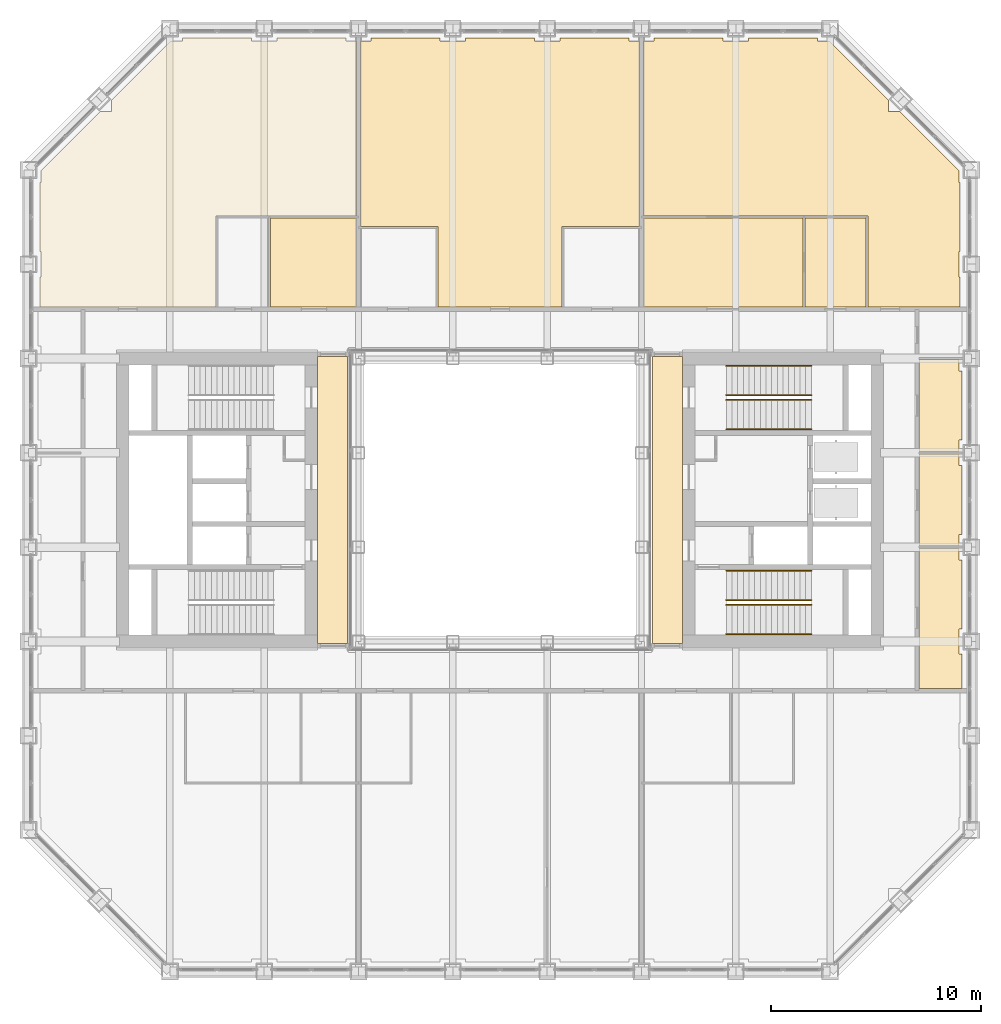
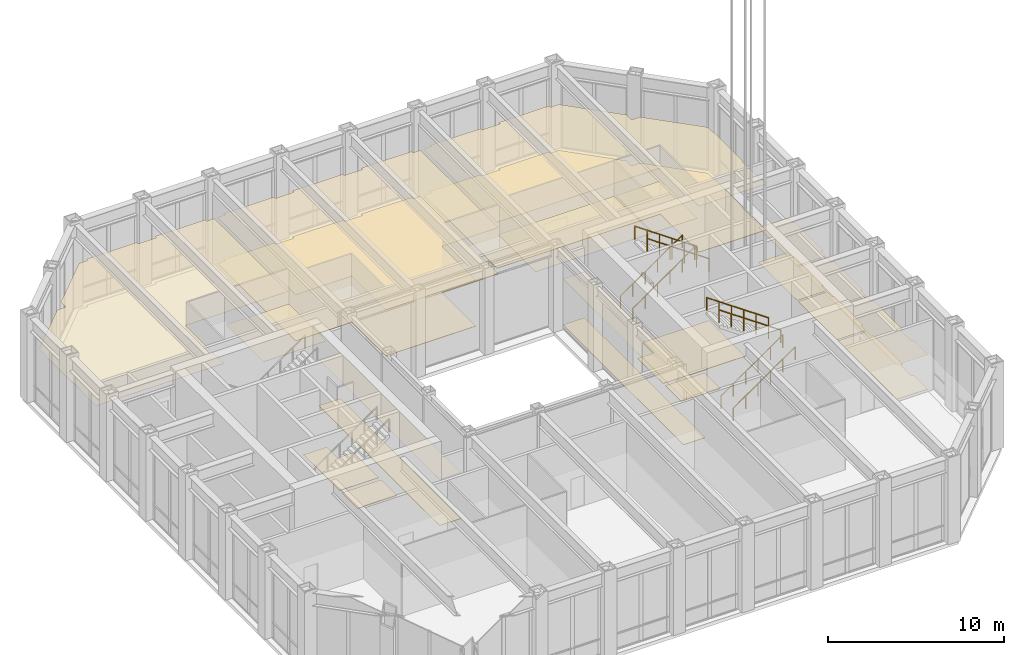
# One storey, part 21 of 22: 8 railings, 5 coverings.
"""IFC4 building model written with IfcOpenShell, lengths in metres."""

from ifc_helpers import new_model, si_unit, direction, frame, origin, origin_2d, place, context, subcontext, project, spatial, line, indexed_curve, circle, outline, extrude, material, layer, layer_set, type_object, element, save


model = new_model("IFC4")

# Units and contexts
model_context = context("Model", 3, precision=1e-05, world=origin(), true_north=direction((0.0, 1.0)))
body_context = subcontext(model_context, "Body", "Model", "MODEL_VIEW")
ifc_project = project(units=[si_unit("LENGTHUNIT", "METRE"), si_unit("AREAUNIT", "SQUARE_METRE"), si_unit("VOLUMEUNIT", "CUBIC_METRE"), si_unit("PLANEANGLEUNIT", "RADIAN"), si_unit("MASSUNIT", "GRAM", prefix="KILO")], contexts=[model_context])

# Site, building, storey
site_placement = place(None, origin())
site = spatial("IfcSite", under=ifc_project, at=site_placement, CompositionType="ELEMENT")
building_placement = place(site_placement, origin())
building = spatial("IfcBuilding", under=site, at=building_placement, Name="Msasa Ring Tower", CompositionType="ELEMENT")
storey_placement = place(building_placement, frame((0.0, 0.0, 112.39990234375)))
storey = spatial("IfcBuildingStorey", under=building, at=storey_placement, Name="L29", CompositionType="ELEMENT", Elevation=112.39990234375)

# Coverings
ifc_material_1 = material(Name="Gypsum plasterboard on a steel suspension grid", Category="steel")
ifc_layer_1 = layer(ifc_material_1, 0.014892578125)
ifc_layer_set_1 = layer_set([ifc_layer_1], Name="C1 SUSPENDED PLASTERBOARD CEILING 15")
covering_type_1 = type_object("IfcCoveringType", Name="C1 SUSPENDED PLASTERBOARD CEILING 15", PredefinedType="CEILING", material=ifc_layer_set_1)
covering_1_placement = place(storey_placement, frame((0.0, 0.0, 3.2001953125)))
element("IfcCovering", 1, at=covering_1_placement, inside=storey, type_object=covering_type_1, Name="Suspended Plasterboard Ceiling 15 public rooms L29", PredefinedType="CEILING", context=body_context, shape_type="SweptSolid", body=[
    extrude(outline(indexed_curve([(-13.550537109375, 13.550537109375), (-13.550537109375, 9.200439453125), (-21.949462890625, 9.200439453125), (-21.949462890625, 10.6494140625), (-21.8994140625, 10.6494140625), (-21.8994140625, 11.8505859375), (-21.949462890625, 11.8505859375), (-21.949462890625, 15.1494140625), (-21.8994140625, 15.1494140625), (-21.8994140625, 15.71337890625), (-19.08837890625, 18.5244140625), (-18.5244140625, 18.5244140625), (-18.5244140625, 19.08837890625), (-15.71337890625, 21.8994140625), (-15.1494140625, 21.8994140625), (-15.1494140625, 22.049560546875), (-11.8505859375, 22.049560546875), (-11.8505859375, 21.8994140625), (-10.6494140625, 21.8994140625), (-10.6494140625, 22.049560546875), (-7.3505859375, 22.049560546875), (-7.3505859375, 21.8994140625), (-6.8505859375, 21.8994140625), (-6.8505859375, 13.550537109375)], segments=[line(1, 2, 3, 4, 5, 6, 7, 8, 9, 10, 11, 12, 13, 14, 15, 16, 17, 18, 19, 20, 21, 22, 23, 24, 1)], self_intersect=False)), origin(), (0.0, 0.0, 1.0), 0.014892578125),
    extrude(outline(indexed_curve([(-8.699462890625, -6.849609375), (-8.699462890625, 6.849609375), (-7.280029296875, 6.849609375), (-7.280029296875, -6.849609375)], segments=[line(1, 2, 3, 4, 1)], self_intersect=False)), origin(), (0.0, 0.0, 1.0), 0.014892578125),
    extrude(outline(indexed_curve([(-2.949462890625, 9.200439453125), (-2.949462890625, 13.050537109375), (-6.6494140625, 13.050537109375), (-6.6494140625, 21.8994140625), (-6.1494140625, 21.8994140625), (-6.1494140625, 22.049560546875), (-2.8505859375, 22.049560546875), (-2.8505859375, 21.8994140625), (-1.6494140625, 21.8994140625), (-1.6494140625, 22.049560546875), (1.6494140625, 22.049560546875), (1.6494140625, 21.8994140625), (2.8505859375, 21.8994140625), (2.8505859375, 22.049560546875), (6.1494140625, 22.049560546875), (6.1494140625, 21.8994140625), (6.6494140625, 21.8994140625), (6.6494140625, 13.050537109375), (2.949462890625, 13.050537109375), (2.949462890625, 9.200439453125)], segments=[line(1, 2, 3, 4, 5, 6, 7, 8, 9, 10, 11, 12, 13, 14, 15, 16, 17, 18, 19, 20, 1)], self_intersect=False)), origin(), (0.0, 0.0, 1.0), 0.014892578125),
    extrude(outline(indexed_curve([(10.6494140625, 22.049560546875), (10.6494140625, 21.8994140625), (11.8505859375, 21.8994140625), (11.8505859375, 22.049560546875), (15.1494140625, 22.049560546875), (15.1494140625, 21.8994140625), (15.71337890625, 21.8994140625), (18.5244140625, 19.08837890625), (18.5244140625, 18.5244140625), (19.08837890625, 18.5244140625), (21.8994140625, 15.71337890625), (21.8994140625, 15.1494140625), (21.949462890625, 15.1494140625), (21.949462890625, 11.8505859375), (21.8994140625, 11.8505859375), (21.8994140625, 10.6494140625), (21.949462890625, 10.6494140625), (21.949462890625, 9.200439453125), (17.550537109375, 9.200439453125), (17.550537109375, 13.550537109375), (6.8505859375, 13.550537109375), (6.8505859375, 21.8994140625), (7.3505859375, 21.8994140625), (7.3505859375, 22.049560546875)], segments=[line(1, 2, 3, 4, 5, 6, 7, 8, 9, 10, 11, 12, 13, 14, 15, 16, 17, 18, 19, 20, 21, 22, 23, 24, 1)], self_intersect=False)), origin(), (0.0, 0.0, 1.0), 0.014892578125),
    extrude(outline(indexed_curve([(8.699462890625, -6.849609375), (7.280029296875, -6.849609375), (7.280029296875, 6.849609375), (8.699462890625, 6.849609375)], segments=[line(1, 2, 3, 4, 1)], self_intersect=False)), origin(), (0.0, 0.0, 1.0), 0.014892578125),
])
ifc_material_2 = material(Name="Moisture-resistant gypsum plasterboard on a steel suspension grid", Category="steel")
ifc_layer_2 = layer(ifc_material_2, 0.014892578125)
ifc_layer_set_2 = layer_set([ifc_layer_2], Name="C2 MOISTURE-RESISTANT PLASTERBOARD CEILING 15")
covering_type_2 = type_object("IfcCoveringType", Name="C2 MOISTURE-RESISTANT PLASTERBOARD CEILING 15", PredefinedType="CEILING", material=ifc_layer_set_2)
covering_2_placement = place(storey_placement, frame((0.0, 0.0, 2.400146484375)))
element("IfcCovering", 2, at=covering_2_placement, inside=storey, type_object=covering_type_2, Name="Moisture-Resistant Plasterboard Ceiling 15 L29", PredefinedType="CEILING", context=body_context, shape_type="SweptSolid", body=[
    extrude(outline(indexed_curve([(20.00048828125, -2.305419921875), (21.8994140625, -2.305419921875), (21.8994140625, -2.8505859375), (22.049560546875, -2.8505859375), (22.049560546875, -6.1494140625), (21.8994140625, -6.1494140625), (21.8994140625, -7.3505859375), (22.049560546875, -7.3505859375), (22.049560546875, -8.99951171875), (20.00048828125, -8.99951171875)], segments=[line(1, 2, 3, 4, 5, 6, 7, 8, 9, 10, 1)], self_intersect=False)), origin(), (0.0, 0.0, 1.0), 0.014892578125),
    extrude(outline(indexed_curve([(21.8994140625, 2.194580078125), (21.8994140625, 1.6494140625), (22.049560546875, 1.6494140625), (22.049560546875, -1.6494140625), (21.8994140625, -1.6494140625), (21.8994140625, -2.194580078125), (20.00048828125, -2.194580078125), (20.00048828125, 2.194580078125)], segments=[line(1, 2, 3, 4, 5, 6, 7, 8, 1)], self_intersect=False)), origin(), (0.0, 0.0, 1.0), 0.014892578125),
    extrude(outline(indexed_curve([(21.8994140625, 6.694580078125), (21.8994140625, 6.1494140625), (22.049560546875, 6.1494140625), (22.049560546875, 2.8505859375), (21.8994140625, 2.8505859375), (21.8994140625, 2.305419921875), (20.00048828125, 2.305419921875), (20.00048828125, 6.694580078125)], segments=[line(1, 2, 3, 4, 5, 6, 7, 8, 1)], self_intersect=False)), origin(), (0.0, 0.0, 1.0), 0.014892578125),
])
ifc_material_3 = material(Name="Perforated aluminium ceiling pans on a steel grid", Category="steel")
ifc_layer_3 = layer(ifc_material_3, 0.02490234375)
ifc_layer_set_3 = layer_set([ifc_layer_3], Name="C4 PERFORATED METAL PAN CEILING 25")
covering_type_3 = type_object("IfcCoveringType", Name="C4 PERFORATED METAL PAN CEILING 25", PredefinedType="CEILING", material=ifc_layer_set_3)
covering_3_placement = place(storey_placement, frame((0.0, 0.0, 2.400146484375)))
element("IfcCovering", 3, at=covering_3_placement, inside=storey, type_object=covering_type_3, Name="Perforated Metal Pan Ceiling 25 L29", PredefinedType="CEILING", context=body_context, shape_type="SweptSolid", body=[
    extrude(outline(indexed_curve([(-6.8505859375, 13.449462890625), (-6.8505859375, 9.200439453125), (-10.949462890625, 9.200439453125), (-10.949462890625, 13.449462890625)], segments=[line(1, 2, 3, 4, 1)], self_intersect=False)), origin(), (0.0, 0.0, 1.0), 0.02490234375),
    extrude(outline(indexed_curve([(14.449462890625, 9.200439453125), (6.8505859375, 9.200439453125), (6.8505859375, 13.449462890625), (14.449462890625, 13.449462890625)], segments=[line(1, 2, 3, 4, 1)], self_intersect=False)), origin(), (0.0, 0.0, 1.0), 0.02490234375),
    extrude(outline(indexed_curve([(17.449462890625, 9.200439453125), (14.550537109375, 9.200439453125), (14.550537109375, 13.449462890625), (17.449462890625, 13.449462890625)], segments=[line(1, 2, 3, 4, 1)], self_intersect=False)), origin(), (0.0, 0.0, 1.0), 0.02490234375),
])
ifc_material_4 = material(Name="Honed granite tiles on a mortar bed", Category="masonry")
ifc_layer_4 = layer(ifc_material_4, 0.030029296875)
ifc_layer_set_4 = layer_set([ifc_layer_4], Name="F1 HONED GRANITE ON BEDDING 30")
covering_type_4 = type_object("IfcCoveringType", Name="F1 HONED GRANITE ON BEDDING 30", PredefinedType="FLOORING", material=ifc_layer_set_4)
covering_4_placement = place(storey_placement, origin())
element("IfcCovering", 4, at=covering_4_placement, inside=storey, type_object=covering_type_4, Name="Honed Granite On Bedding 30 L29", PredefinedType="FLOORING", context=body_context, shape_type="SweptSolid", body=[
    extrude(outline(indexed_curve([(-11.87451171875, -1.275390625), (-9.300537109375, -1.275390625), (-9.300537109375, -3.074462890625), (-11.87451171875, -3.074462890625)], segments=[line(1, 2, 3, 4, 1)], self_intersect=False)), origin(), (0.0, 0.0, 1.0), 0.030029296875),
    extrude(outline(indexed_curve([(-9.300537109375, -1.0244140625), (-11.87451171875, -1.0244140625), (-11.87451171875, 3.074462890625), (-10.35546875, 3.074462890625), (-10.35546875, 1.844482421875), (-9.300537109375, 1.844482421875)], segments=[line(1, 2, 3, 4, 5, 6, 1)], self_intersect=False)), origin(), (0.0, 0.0, 1.0), 0.030029296875),
    extrude(outline(indexed_curve([(-8.699462890625, 6.849609375), (-7.280029296875, 6.849609375), (-7.280029296875, -6.849609375), (-8.699462890625, -6.849609375)], segments=[line(1, 2, 3, 4, 1)], self_intersect=False)), origin(), (0.0, 0.0, 1.0), 0.030029296875),
    extrude(outline(indexed_curve([(-6.6494140625, 13.050537109375), (-6.6494140625, 21.8994140625), (-6.1494140625, 21.8994140625), (-6.1494140625, 22.049560546875), (-2.8505859375, 22.049560546875), (-2.8505859375, 21.8994140625), (-1.6494140625, 21.8994140625), (-1.6494140625, 22.049560546875), (1.6494140625, 22.049560546875), (1.6494140625, 21.8994140625), (2.8505859375, 21.8994140625), (2.8505859375, 22.049560546875), (6.1494140625, 22.049560546875), (6.1494140625, 21.8994140625), (6.6494140625, 21.8994140625), (6.6494140625, 13.050537109375), (2.949462890625, 13.050537109375), (2.949462890625, 9.200439453125), (-2.949462890625, 9.200439453125), (-2.949462890625, 13.050537109375)], segments=[line(1, 2, 3, 4, 5, 6, 7, 8, 9, 10, 11, 12, 13, 14, 15, 16, 17, 18, 19, 20, 1)], self_intersect=False)), origin(), (0.0, 0.0, 1.0), 0.030029296875),
    extrude(outline(indexed_curve([(10.6494140625, 22.049560546875), (10.6494140625, 21.8994140625), (11.8505859375, 21.8994140625), (11.8505859375, 22.049560546875), (15.1494140625, 22.049560546875), (15.1494140625, 21.8994140625), (15.71337890625, 21.8994140625), (18.5244140625, 19.08837890625), (18.5244140625, 18.5244140625), (19.08837890625, 18.5244140625), (21.8994140625, 15.71337890625), (21.8994140625, 15.1494140625), (21.949462890625, 15.1494140625), (21.949462890625, 11.8505859375), (21.8994140625, 11.8505859375), (21.8994140625, 10.6494140625), (21.949462890625, 10.6494140625), (21.949462890625, 9.200439453125), (17.550537109375, 9.200439453125), (17.550537109375, 13.550537109375), (6.8505859375, 13.550537109375), (6.8505859375, 21.8994140625), (7.3505859375, 21.8994140625), (7.3505859375, 22.049560546875)], segments=[line(1, 2, 3, 4, 5, 6, 7, 8, 9, 10, 11, 12, 13, 14, 15, 16, 17, 18, 19, 20, 21, 22, 23, 24, 1)], self_intersect=False)), origin(), (0.0, 0.0, 1.0), 0.030029296875),
    extrude(outline(indexed_curve([(8.699462890625, 6.849609375), (8.699462890625, -6.849609375), (7.280029296875, -6.849609375), (7.280029296875, 6.849609375)], segments=[line(1, 2, 3, 4, 1)], self_intersect=False)), origin(), (0.0, 0.0, 1.0), 0.030029296875),
    extrude(outline(indexed_curve([(9.300537109375, -1.275390625), (11.87451171875, -1.275390625), (11.87451171875, -3.074462890625), (9.300537109375, -3.074462890625)], segments=[line(1, 2, 3, 4, 1)], self_intersect=False)), origin(), (0.0, 0.0, 1.0), 0.030029296875),
    extrude(outline(indexed_curve([(14.674560546875, 3.074462890625), (14.674560546875, -1.0244140625), (9.300537109375, -1.0244140625), (9.300537109375, 1.844482421875), (10.35546875, 1.844482421875), (10.35546875, 3.074462890625)], segments=[line(1, 2, 3, 4, 5, 6, 1)], self_intersect=False)), origin(), (0.0, 0.0, 1.0), 0.030029296875),
])
ifc_material_5 = material(Name="Porcelain floor tiles in adhesive", Category="ceramic")
ifc_layer_5 = layer(ifc_material_5, 0.010009765625)
ifc_layer_set_5 = layer_set([ifc_layer_5], Name="F4 PORCELAIN TILE ON ADHESIVE 10")
covering_type_5 = type_object("IfcCoveringType", Name="F4 PORCELAIN TILE ON ADHESIVE 10", PredefinedType="FLOORING", material=ifc_layer_set_5)
covering_5_placement = place(storey_placement, origin())
element("IfcCovering", 5, at=covering_5_placement, inside=storey, type_object=covering_type_5, Name="Porcelain Tile On Adhesive 10 L29", PredefinedType="FLOORING", context=body_context, shape_type="SweptSolid", body=[
    extrude(outline(indexed_curve([(21.8994140625, -2.305419921875), (21.8994140625, -2.8505859375), (22.049560546875, -2.8505859375), (22.049560546875, -6.1494140625), (21.8994140625, -6.1494140625), (21.8994140625, -7.3505859375), (22.049560546875, -7.3505859375), (22.049560546875, -8.99951171875), (20.00048828125, -8.99951171875), (20.00048828125, -2.305419921875)], segments=[line(1, 2, 3, 4, 5, 6, 7, 8, 9, 10, 1)], self_intersect=False)), origin(), (0.0, 0.0, 1.0), 0.010009765625),
    extrude(outline(indexed_curve([(22.049560546875, -1.6494140625), (21.8994140625, -1.6494140625), (21.8994140625, -2.194580078125), (20.00048828125, -2.194580078125), (20.00048828125, 2.194580078125), (21.8994140625, 2.194580078125), (21.8994140625, 1.6494140625), (22.049560546875, 1.6494140625)], segments=[line(1, 2, 3, 4, 5, 6, 7, 8, 1)], self_intersect=False)), origin(), (0.0, 0.0, 1.0), 0.010009765625),
    extrude(outline(indexed_curve([(22.049560546875, 2.8505859375), (21.8994140625, 2.8505859375), (21.8994140625, 2.305419921875), (20.00048828125, 2.305419921875), (20.00048828125, 6.694580078125), (21.8994140625, 6.694580078125), (21.8994140625, 6.1494140625), (22.049560546875, 6.1494140625)], segments=[line(1, 2, 3, 4, 5, 6, 7, 8, 1)], self_intersect=False)), origin(), (0.0, 0.0, 1.0), 0.010009765625),
])

# Railings
ifc_material_6 = material(Name="Stainless steel", Category="steel")
railing_type = type_object("IfcRailingType", Name="HR1 HANDRAIL 900", PredefinedType="HANDRAIL", material=ifc_material_6)
for number, where, name in (
    (6, (10.800048828125, -6.39990234375, 0.1875), "Handrail stair SEA L29 1"),
    (7, (10.800048828125, -5.0, 0.1875), "Handrail stair SEA L29 2"),
):
    element("IfcRailing", number, at=place(storey_placement, frame(where)), inside=storey, type_object=railing_type, Name=name, PredefinedType="HANDRAIL", context=body_context, shape_type="SweptSolid", body=[
        extrude(circle(Radius=0.02392578125, at=origin_2d()), frame((0.0, 0.0, 0.8759765625), z_axis=(0.821373187493, 0.0, 0.570391170047), x_axis=(0.0, 1.0, 0.0)), (0.0, 0.0, 1.0), 4.930908203125),
        extrude(circle(Radius=0.02099609375, at=origin_2d()), origin(), (0.0, 0.0, 1.0), 0.851806640625),
        extrude(circle(Radius=0.02099609375, at=origin_2d()), frame((0.81005859375, 0.0, 0.5625)), (0.0, 0.0, 1.0), 0.851806640625),
        extrude(circle(Radius=0.02099609375, at=origin_2d()), frame((1.6201171875, 0.0, 1.125)), (0.0, 0.0, 1.0), 0.851806640625),
        extrude(circle(Radius=0.02099609375, at=origin_2d()), frame((2.429931640625, 0.0, 1.6875)), (0.0, 0.0, 1.0), 0.851806640625),
        extrude(circle(Radius=0.02099609375, at=origin_2d()), frame((3.239990234375, 0.0, 2.25)), (0.0, 0.0, 1.0), 0.851806640625),
        extrude(circle(Radius=0.02099609375, at=origin_2d()), frame((4.050048828125, 0.0, 2.8125)), (0.0, 0.0, 1.0), 0.851806640625),
    ])
for number, where, name in (
    (8, (14.85009765625, -4.77490234375, 3.1875), "Handrail stair SEA L29 3"),
    (9, (14.85009765625, -3.375, 3.1875), "Handrail stair SEA L29 4"),
):
    element("IfcRailing", number, at=place(storey_placement, frame(where)), inside=storey, type_object=railing_type, Name=name, PredefinedType="HANDRAIL", context=body_context, shape_type="SweptSolid", body=[
        extrude(circle(Radius=0.02392578125, at=origin_2d()), frame((0.0, 0.0, 0.8759765625), z_axis=(-0.821373187493, 0.0, 0.570391170047), x_axis=(0.0, -1.0, 0.0)), (0.0, 0.0, 1.0), 4.930908203125),
        extrude(circle(Radius=0.02099609375, at=origin_2d()), origin(), (0.0, 0.0, 1.0), 0.851806640625),
        extrude(circle(Radius=0.02099609375, at=origin_2d()), frame((-0.81005859375, 0.0, 0.5625)), (0.0, 0.0, 1.0), 0.851806640625),
        extrude(circle(Radius=0.02099609375, at=origin_2d()), frame((-1.6201171875, 0.0, 1.125)), (0.0, 0.0, 1.0), 0.851806640625),
        extrude(circle(Radius=0.02099609375, at=origin_2d()), frame((-2.429931640625, 0.0, 1.6875)), (0.0, 0.0, 1.0), 0.851806640625),
        extrude(circle(Radius=0.02099609375, at=origin_2d()), frame((-3.239990234375, 0.0, 2.25)), (0.0, 0.0, 1.0), 0.851806640625),
        extrude(circle(Radius=0.02099609375, at=origin_2d()), frame((-4.050048828125, 0.0, 2.8125)), (0.0, 0.0, 1.0), 0.851806640625),
    ])
for number, where, name in (
    (10, (10.800048828125, 5.0, 0.1875), "Handrail stair SEB L29 1"),
    (11, (10.800048828125, 6.39990234375, 0.1875), "Handrail stair SEB L29 2"),
):
    element("IfcRailing", number, at=place(storey_placement, frame(where)), inside=storey, type_object=railing_type, Name=name, PredefinedType="HANDRAIL", context=body_context, shape_type="SweptSolid", body=[
        extrude(circle(Radius=0.02392578125, at=origin_2d()), frame((0.0, 0.0, 0.8759765625), z_axis=(0.821373187493, 0.0, 0.570391170047), x_axis=(0.0, 1.0, 0.0)), (0.0, 0.0, 1.0), 4.930908203125),
        extrude(circle(Radius=0.02099609375, at=origin_2d()), origin(), (0.0, 0.0, 1.0), 0.851806640625),
        extrude(circle(Radius=0.02099609375, at=origin_2d()), frame((0.81005859375, 0.0, 0.5625)), (0.0, 0.0, 1.0), 0.851806640625),
        extrude(circle(Radius=0.02099609375, at=origin_2d()), frame((1.6201171875, 0.0, 1.125)), (0.0, 0.0, 1.0), 0.851806640625),
        extrude(circle(Radius=0.02099609375, at=origin_2d()), frame((2.429931640625, 0.0, 1.6875)), (0.0, 0.0, 1.0), 0.851806640625),
        extrude(circle(Radius=0.02099609375, at=origin_2d()), frame((3.239990234375, 0.0, 2.25)), (0.0, 0.0, 1.0), 0.851806640625),
        extrude(circle(Radius=0.02099609375, at=origin_2d()), frame((4.050048828125, 0.0, 2.8125)), (0.0, 0.0, 1.0), 0.851806640625),
    ])
for number, where, name in (
    (12, (14.85009765625, 3.375, 3.1875), "Handrail stair SEB L29 3"),
    (13, (14.85009765625, 4.77490234375, 3.1875), "Handrail stair SEB L29 4"),
):
    element("IfcRailing", number, at=place(storey_placement, frame(where)), inside=storey, type_object=railing_type, Name=name, PredefinedType="HANDRAIL", context=body_context, shape_type="SweptSolid", body=[
        extrude(circle(Radius=0.02392578125, at=origin_2d()), frame((0.0, 0.0, 0.8759765625), z_axis=(-0.821373187493, 0.0, 0.570391170047), x_axis=(0.0, -1.0, 0.0)), (0.0, 0.0, 1.0), 4.930908203125),
        extrude(circle(Radius=0.02099609375, at=origin_2d()), origin(), (0.0, 0.0, 1.0), 0.851806640625),
        extrude(circle(Radius=0.02099609375, at=origin_2d()), frame((-0.81005859375, 0.0, 0.5625)), (0.0, 0.0, 1.0), 0.851806640625),
        extrude(circle(Radius=0.02099609375, at=origin_2d()), frame((-1.6201171875, 0.0, 1.125)), (0.0, 0.0, 1.0), 0.851806640625),
        extrude(circle(Radius=0.02099609375, at=origin_2d()), frame((-2.429931640625, 0.0, 1.6875)), (0.0, 0.0, 1.0), 0.851806640625),
        extrude(circle(Radius=0.02099609375, at=origin_2d()), frame((-3.239990234375, 0.0, 2.25)), (0.0, 0.0, 1.0), 0.851806640625),
        extrude(circle(Radius=0.02099609375, at=origin_2d()), frame((-4.050048828125, 0.0, 2.8125)), (0.0, 0.0, 1.0), 0.851806640625),
    ])

save(model, "model.ifc")
